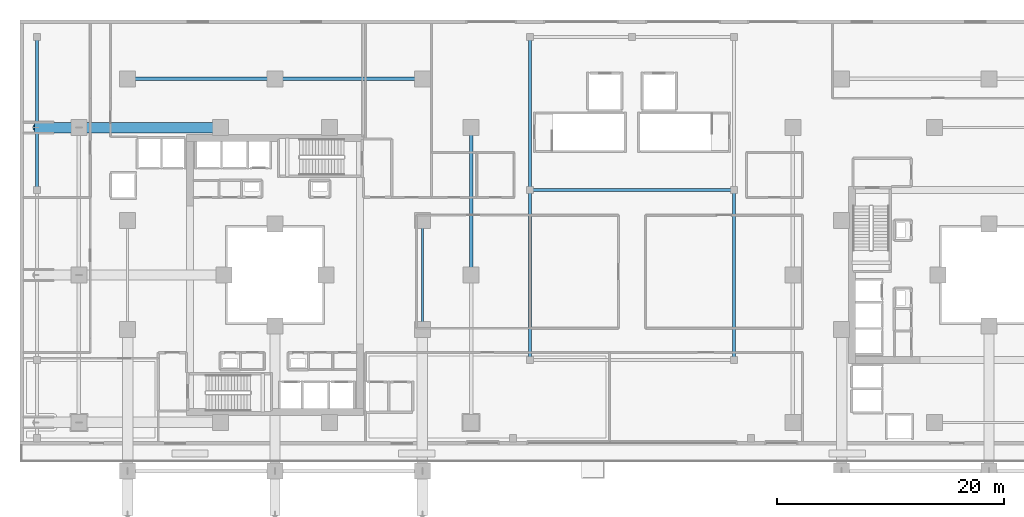
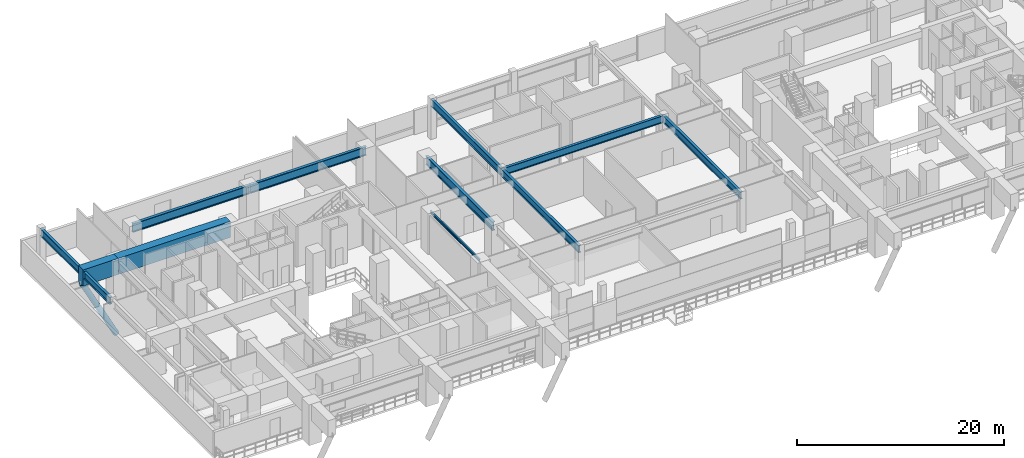
# One storey, part 4 of 25: 11 beams, 1 member.
"""IFC4 building model written with IfcOpenShell, lengths in metres."""

import ifcopenshell
import ifcopenshell.guid

model = None  # the IFC model being written
_history = None  # IfcOwnerHistory: only IFC2X3 demands one
_inside = {}  # id of a spatial element -> (the spatial element, [elements in it])
_under = {}  # id of a project, library or spatial element -> (it, [spatial elements below it])
_declared = {}  # id of a project -> (the project, [libraries it declares])
_typed = {}  # id of a type object -> (the type object, [elements of that type])
_made_of = {}  # id of a material, layer set ... -> (it, [elements and type objects made of it])


def new_model(schema):
    """Start an empty IFC model of exactly this schema.

    Asked for "IFC4X3", IfcOpenShell would pick the latest addendum, in which some entities
    have other attributes; the version numbers below select the first issue.
    IFC2X3 requires an IfcOwnerHistory on every rooted entity: one is made here for all.
    """
    global model, _history
    if schema == "IFC4X3":
        model = ifcopenshell.file(schema_version=(4, 3, 0, 0))
    else:
        model = ifcopenshell.file(schema=schema)
    _inside.clear()
    _under.clear()
    _declared.clear()
    _typed.clear()
    _made_of.clear()
    _history = None
    if model.schema == "IFC2X3":
        org = make("IfcOrganization", Name="unknown")
        user = make(
            "IfcPersonAndOrganization",
            ThePerson=make("IfcPerson", FamilyName="unknown"),
            TheOrganization=org,
        )
        app = make(
            "IfcApplication",
            ApplicationDeveloper=org,
            Version="unknown",
            ApplicationFullName="unknown",
            ApplicationIdentifier="unknown",
        )
        _history = make(
            "IfcOwnerHistory",
            OwningUser=user,
            OwningApplication=app,
            ChangeAction="ADDED",
            CreationDate=0,
        )
    return model


def make(cls, **values):
    """One entity of the class cls with the attributes given. An attribute that is None is left unset."""
    return model.create_entity(
        cls, **{name: value for name, value in values.items() if value is not None}
    )


def rooted(cls, **values):
    """An entity with a GlobalId (a new one), such as an element, a storey or a relation."""
    return make(cls, GlobalId=ifcopenshell.guid.new(), OwnerHistory=_history, **values)


def si_unit(unit_type, name, prefix=None):
    """IfcSIUnit, for example si_unit("LENGTHUNIT", "METRE", prefix="MILLI")."""
    return make("IfcSIUnit", UnitType=unit_type, Prefix=prefix, Name=name)


def assignment(units):
    """IfcUnitAssignment: the units of a project."""
    return None if units is None else make("IfcUnitAssignment", Units=units)


def point(xyz):
    """IfcCartesianPoint."""
    return None if xyz is None else make("IfcCartesianPoint", Coordinates=xyz)


def direction(xyz):
    """IfcDirection."""
    return None if xyz is None else make("IfcDirection", DirectionRatios=xyz)


def frame(location, z_axis=None, x_axis=None):
    """IfcAxis2Placement3D, a coordinate frame: its origin and axes. An axis left out is left unset."""
    return make(
        "IfcAxis2Placement3D",
        Location=point(location),
        Axis=direction(z_axis),
        RefDirection=direction(x_axis),
    )


def frame_2d(location, x_axis=None):
    """IfcAxis2Placement2D, a coordinate frame in the plane: its origin and x axis."""
    return make(
        "IfcAxis2Placement2D", Location=point(location), RefDirection=direction(x_axis)
    )


def origin():
    """The frame at (0, 0, 0) with its axes left unset."""
    return frame((0.0, 0.0, 0.0))


def origin_2d():
    """The frame at (0, 0) in the plane with its x axis left unset."""
    return frame_2d((0.0, 0.0))


def place(relative_to, where):
    """IfcLocalPlacement: puts the frame where relative to a parent placement (None: the world)."""
    return make(
        "IfcLocalPlacement", PlacementRelTo=relative_to, RelativePlacement=where
    )


def context(
    kind, dimensions, precision=None, world=None, true_north=None, identifier=None
):
    """IfcGeometricRepresentationContext, for example the 3D "Model" context."""
    return make(
        "IfcGeometricRepresentationContext",
        ContextIdentifier=identifier,
        ContextType=kind,
        CoordinateSpaceDimension=dimensions,
        Precision=precision,
        WorldCoordinateSystem=world,
        TrueNorth=true_north,
    )


def subcontext(parent, identifier, kind, view, scale=None):
    """IfcGeometricRepresentationSubContext, for example "Body" below "Model"."""
    return make(
        "IfcGeometricRepresentationSubContext",
        ContextIdentifier=identifier,
        ContextType=kind,
        ParentContext=parent,
        TargetScale=scale,
        TargetView=view,
    )


def project(units=None, contexts=None):
    """IfcProject with its units and contexts."""
    return rooted(
        "IfcProject",
        Name="project",
        RepresentationContexts=contexts,
        UnitsInContext=assignment(units),
    )


def spatial(cls, under=None, at=None, **own):
    """A site, building, storey or space (cls), placed at a placement, below another one or the project."""
    s = rooted(cls, ObjectPlacement=at, **own)
    if under is not None:
        _under.setdefault(under.id(), (under, []))[1].append(s)
    return s


def profile(cls, at=None, kind="AREA", **sizes):
    """A parametric profile (cls). Its sizes go by their IFC names, for example OverallWidth=200.0."""
    return make(cls, ProfileType=kind, Position=at, **sizes)


def rectangle(**sizes):
    """IfcRectangleProfileDef."""
    return profile("IfcRectangleProfileDef", **sizes)


def hollow_circle(**sizes):
    """IfcCircleHollowProfileDef."""
    return profile("IfcCircleHollowProfileDef", **sizes)


def i_section(**sizes):
    """IfcIShapeProfileDef."""
    return profile("IfcIShapeProfileDef", **sizes)


def extrude(swept, where, along, depth):
    """IfcExtrudedAreaSolid: the profile swept, set in the frame where, extruded along a direction by depth."""
    return make(
        "IfcExtrudedAreaSolid",
        SweptArea=swept,
        Position=where,
        ExtrudedDirection=direction(along),
        Depth=depth,
    )


def shape(context_of_items, identifier, shape_type, items):
    """IfcShapeRepresentation: the items that make up one representation, for example the "Body"."""
    return make(
        "IfcShapeRepresentation",
        ContextOfItems=context_of_items,
        RepresentationIdentifier=identifier,
        RepresentationType=shape_type,
        Items=items,
    )


def material(Name=None, Category=None):
    """IfcMaterial."""
    return make("IfcMaterial", Name=Name, Category=Category)


def material_profile(
    of_material, cross_section, Name=None, Category=None, Priority=None
):
    """IfcMaterialProfile: a cross section and its material."""
    return make(
        "IfcMaterialProfile",
        Name=Name,
        Material=of_material,
        Profile=cross_section,
        Priority=Priority,
        Category=Category,
    )


def profile_set(profiles, Name=None, composite=None):
    """IfcMaterialProfileSet."""
    return make(
        "IfcMaterialProfileSet",
        Name=Name,
        MaterialProfiles=profiles,
        CompositeProfile=composite,
    )


def made_of(thing, what):
    """Note that an element or type object is made of a material, layer set ...; save() writes the relation."""
    if what is not None:
        _made_of.setdefault(what.id(), (what, []))[1].append(thing)
    return thing


def type_object(cls, material=None, **own):
    """A type object (cls), such as IfcWallType, which elements share."""
    return made_of(rooted(cls, **own), material)


def element(
    cls,
    number,
    at=None,
    inside=None,
    cuts=None,
    type_object=None,
    material=None,
    context=None,
    identifier="Body",
    shape_type=None,
    held_by="IfcProductDefinitionShape",
    body=None,
    shapes=None,
    **own,
):
    """One element of the class cls, such as IfcWall. Its Tag is "e" and its number.

    at: its placement. inside: the storey or other place that contains it. cuts: it is an
    opening in that element (IfcRelVoidsElement). A single representation is given by context,
    identifier, shape_type and body (its items); several are given by shapes. held_by: the class
    of the entity that holds the representations. save() writes the other relations.
    """
    e = rooted(cls, Tag="e%d" % number, ObjectPlacement=at, **own)
    if body is not None:
        shapes = [shape(context, identifier, shape_type, body)]
    if shapes is not None:
        e.Representation = make(held_by, Representations=shapes)
    if inside is not None:
        _inside.setdefault(inside.id(), (inside, []))[1].append(e)
    if cuts is not None:
        rooted(
            "IfcRelVoidsElement", RelatingBuildingElement=cuts, RelatedOpeningElement=e
        )
    if type_object is not None:
        _typed.setdefault(type_object.id(), (type_object, []))[1].append(e)
    return made_of(e, material)


def aggregate(whole, parts):
    """IfcRelAggregates: a whole, such as a stair, and the parts it consists of."""
    return rooted("IfcRelAggregates", RelatingObject=whole, RelatedObjects=parts)


def save(model, path):
    """Write the relations noted so far, then the file.

    IfcRelAggregates (storeys below a building ...), IfcRelContainedInSpatialStructure (elements
    in a storey), IfcRelDefinesByType, IfcRelAssociatesMaterial and IfcRelDeclares: one each for
    every whole, place, type object, material and project.
    """
    for whole, parts in _under.values():
        aggregate(whole, parts)
    for where, things in _inside.values():
        rooted(
            "IfcRelContainedInSpatialStructure",
            RelatedElements=things,
            RelatingStructure=where,
        )
    for kind, things in _typed.values():
        rooted("IfcRelDefinesByType", RelatedObjects=things, RelatingType=kind)
    for what, things in _made_of.values():
        rooted("IfcRelAssociatesMaterial", RelatedObjects=things, RelatingMaterial=what)
    for by, libraries in _declared.values():
        rooted("IfcRelDeclares", RelatingContext=by, RelatedDefinitions=libraries)
    model.write(path)


model = new_model("IFC4")

# Units and contexts
model_context = context("Model", 3, precision=1e-05, world=origin(), true_north=direction((0.0, 1.0)))
body_context = subcontext(model_context, "Body", "Model", "MODEL_VIEW")
ifc_project = project(units=[si_unit("LENGTHUNIT", "METRE"), si_unit("AREAUNIT", "SQUARE_METRE"), si_unit("VOLUMEUNIT", "CUBIC_METRE"), si_unit("PLANEANGLEUNIT", "RADIAN"), si_unit("MASSUNIT", "GRAM", prefix="KILO")], contexts=[model_context])

# Site, building, storey
site_placement = place(None, origin())
site = spatial("IfcSite", under=ifc_project, at=site_placement, CompositionType="ELEMENT")
building_placement = place(site_placement, origin())
building = spatial("IfcBuilding", under=site, at=building_placement, Name="Thornwick Lancets Civic Towers", CompositionType="ELEMENT")
storey_placement = place(building_placement, frame((0.0, 0.0, 23.10009765625)))
storey = spatial("IfcBuildingStorey", under=building, at=storey_placement, Name="L05", CompositionType="ELEMENT", Elevation=23.10009765625)

# Beams
ifc_material_1 = material(Name="Steel S355JR", Category="steel")
ifc_material_profile_1 = material_profile(ifc_material_1, i_section(OverallWidth=0.1669921875, OverallDepth=0.310302734375, WebThickness=0.0078125, FlangeThickness=0.013671875, FilletRadius=0.0087890625, at=origin_2d()), Name="UKB 305x165x54")
ifc_profile_set_1 = profile_set([ifc_material_profile_1], Name="Steel S355JR")
beam_type_1 = type_object("IfcBeamType", Name="BM_LINTEL_305_54", PredefinedType="LINTEL", material=ifc_profile_set_1)
beam_1_placement = place(storey_placement, frame((38.5, 22.280029296875, 4.40478515625), z_axis=(0.0, 1.0, 0.0), x_axis=(-1.0, 0.0, 0.0)))
element("IfcBeam", 1, at=beam_1_placement, inside=storey, type_object=beam_type_1, Name="BM-INSP-L05-A-1-3", PredefinedType="LINTEL", context=body_context, shape_type="SweptSolid", body=[
    extrude(i_section(OverallWidth=0.1669921875, OverallDepth=0.310302734375, WebThickness=0.0078125, FlangeThickness=0.013671875, FilletRadius=0.0087890625, at=origin_2d()), origin(), (0.0, 0.0, 1.0), 9.52001953125),
])
ifc_material_profile_2 = material_profile(ifc_material_1, i_section(OverallWidth=0.293701171875, OverallDepth=0.850830078125, WebThickness=0.01611328125, FlangeThickness=0.02685546875, FilletRadius=0.017822265625, at=origin_2d()), Name="UKB 838x292x226")
ifc_profile_set_2 = profile_set([ifc_material_profile_2], Name="Steel S355JR")
beam_type_2 = type_object("IfcBeamType", Name="BM_POD_838_226", PredefinedType="BEAM", material=ifc_profile_set_2)
beam_2_placement = place(storey_placement, frame((4.5, 34.580078125, 4.134521484375), z_axis=(0.0, 1.0, 0.0), x_axis=(-1.0, 0.0, 0.0)))
element("IfcBeam", 2, at=beam_2_placement, inside=storey, type_object=beam_type_2, Name="BM-PODG-L05-5-6", PredefinedType="BEAM", context=body_context, shape_type="SweptSolid", body=[
    extrude(i_section(OverallWidth=0.293701171875, OverallDepth=0.850830078125, WebThickness=0.01611328125, FlangeThickness=0.02685546875, FilletRadius=0.017822265625, at=origin_2d()), origin(), (0.0, 0.0, 1.0), 13.419921875),
])
for number, where, z_axis, x_axis, name in (
    (3, (48.0, 19.5, 4.134521484375), (0.0, 1.0, 0.0), (-1.0, 0.0, 0.0), "BM-PODG-L05-7-9"),
    (4, (66.0, 19.5, 4.134521484375), (0.0, 1.0, 0.0), (-1.0, 0.0, 0.0), "BM-PODG-L05-8-10"),
):
    element("IfcBeam", number, at=place(storey_placement, frame(where, z_axis=z_axis, x_axis=x_axis)), inside=storey, type_object=beam_type_2, Name=name, PredefinedType="BEAM", context=body_context, shape_type="SweptSolid", body=[
        extrude(i_section(OverallWidth=0.293701171875, OverallDepth=0.850830078125, WebThickness=0.01611328125, FlangeThickness=0.02685546875, FilletRadius=0.017822265625, at=origin_2d()), origin(), (0.0, 0.0, 1.0), 15.0),
    ])
beam_3_placement = place(storey_placement, frame((48.0, 34.5, 4.134521484375), z_axis=(1.0, 0.0, 0.0), x_axis=(0.0, 1.0, 0.0)))
element("IfcBeam", 5, at=beam_3_placement, inside=storey, type_object=beam_type_2, Name="BM-PODG-L05-9-10", PredefinedType="BEAM", context=body_context, shape_type="SweptSolid", body=[
    extrude(i_section(OverallWidth=0.293701171875, OverallDepth=0.850830078125, WebThickness=0.01611328125, FlangeThickness=0.02685546875, FilletRadius=0.017822265625, at=origin_2d()), origin(), (0.0, 0.0, 1.0), 18.0),
])
beam_4_placement = place(storey_placement, frame((48.0, 34.580078125, 4.134521484375), z_axis=(0.0, 1.0, 0.0), x_axis=(-1.0, 0.0, 0.0)))
element("IfcBeam", 6, at=beam_4_placement, inside=storey, type_object=beam_type_2, Name="BM-PODG-L05-9-11", PredefinedType="BEAM", context=body_context, shape_type="SweptSolid", body=[
    extrude(i_section(OverallWidth=0.293701171875, OverallDepth=0.850830078125, WebThickness=0.01611328125, FlangeThickness=0.02685546875, FilletRadius=0.017822265625, at=origin_2d()), origin(), (0.0, 0.0, 1.0), 13.419921875),
])
ifc_material_2 = material(Name="Steel S460M", Category="steel")
ifc_material_profile_3 = material_profile(ifc_material_2, i_section(OverallWidth=0.305419921875, OverallDepth=1.02587890625, WebThickness=0.02685546875, FlangeThickness=0.0458984375, FilletRadius=0.030029296875, at=origin_2d()), Name="UKB 1016x305x437")
ifc_profile_set_3 = profile_set([ifc_material_profile_3], Name="Steel S460M")
beam_type_3 = type_object("IfcBeamType", Name="BM_TR_1016_437", PredefinedType="BEAM", material=ifc_profile_set_3)
beam_5_placement = place(storey_placement, frame((42.800048828125, 27.080078125, 4.046875), z_axis=(0.0, 1.0, 0.0), x_axis=(-1.0, 0.0, 0.0)))
element("IfcBeam", 7, at=beam_5_placement, inside=storey, type_object=beam_type_3, Name="BM-SPINE-L05-A-4-5", PredefinedType="BEAM", context=body_context, shape_type="SweptSolid", body=[
    extrude(i_section(OverallWidth=0.305419921875, OverallDepth=1.02587890625, WebThickness=0.02685546875, FlangeThickness=0.0458984375, FilletRadius=0.030029296875, at=origin_2d()), origin(), (0.0, 0.0, 1.0), 12.919921875),
])
beam_6_placement = place(storey_placement, frame((12.5, 44.300048828125, 4.046875), z_axis=(1.0, 0.0, 0.0), x_axis=(0.0, 1.0, 0.0)))
element("IfcBeam", 8, at=beam_6_placement, inside=storey, type_object=beam_type_3, Name="BM-SPINE-L05-A-6-7", PredefinedType="BEAM", context=body_context, shape_type="SweptSolid", body=[
    extrude(i_section(OverallWidth=0.305419921875, OverallDepth=1.02587890625, WebThickness=0.02685546875, FlangeThickness=0.0458984375, FilletRadius=0.030029296875, at=origin_2d()), origin(), (0.0, 0.0, 1.0), 13.0),
])
beam_7_placement = place(storey_placement, frame((25.580078125, 44.300048828125, 4.046875), z_axis=(1.0, 0.0, 0.0), x_axis=(0.0, 1.0, 0.0)))
element("IfcBeam", 9, at=beam_7_placement, inside=storey, type_object=beam_type_3, Name="BM-SPINE-L05-A-7-8", PredefinedType="BEAM", context=body_context, shape_type="SweptSolid", body=[
    extrude(i_section(OverallWidth=0.305419921875, OverallDepth=1.02587890625, WebThickness=0.02685546875, FlangeThickness=0.0458984375, FilletRadius=0.030029296875, at=origin_2d()), origin(), (0.0, 0.0, 1.0), 12.919921875),
])
ifc_material_3 = material(Name="Concrete C60/75", Category="concrete")
ifc_material_profile_4 = material_profile(ifc_material_3, rectangle(XDim=0.89990234375, YDim=1.89990234375, at=origin_2d()), Name="RC 900x1900")
ifc_profile_set_4 = profile_set([ifc_material_profile_4], Name="Concrete C60/75")
beam_type_4 = type_object("IfcBeamType", Name="BM_TR_RC1900", PredefinedType="BEAM", material=ifc_profile_set_4)
beam_8_placement = place(storey_placement, frame((20.699951171875, 40.0, 3.849853515625), z_axis=(-1.0, 0.0, 0.0), x_axis=(0.0, -1.0, 0.0)))
element("IfcBeam", 10, at=beam_8_placement, inside=storey, type_object=beam_type_4, Name="TG-BACK-L06-A12", PredefinedType="BEAM", context=body_context, shape_type="SweptSolid", body=[
    extrude(rectangle(XDim=0.89990234375, YDim=1.89990234375, at=origin_2d()), origin(), (0.0, 0.0, 1.0), 12.5),
])
beam_9_placement = place(storey_placement, frame((8.199951171875, 40.0, 3.849853515625), z_axis=(-1.0, 0.0, 0.0), x_axis=(0.0, -1.0, 0.0)))
element("IfcBeam", 11, at=beam_9_placement, inside=storey, type_object=beam_type_4, Name="TG-CANT-L06-A12", PredefinedType="BEAM", context=body_context, shape_type="SweptSolid", body=[
    extrude(rectangle(XDim=0.89990234375, YDim=1.89990234375, at=origin_2d()), origin(), (0.0, 0.0, 1.0), 3.919921875),
])

# Member
ifc_material_profile_5 = material_profile(ifc_material_2, hollow_circle(Radius=0.304931640625, WallThickness=0.030029296875, at=origin_2d()), Name="CHS 610x30")
ifc_profile_set_5 = profile_set([ifc_material_profile_5], Name="Steel S460M")
member_type = type_object("IfcMemberType", Name="MEM_STRUT_CHS610", PredefinedType="STRUT", material=ifc_profile_set_5)
member_placement = place(storey_placement, frame((8.199951171875, 40.0, -4.25), z_axis=(-0.465247425434, 0.0, 0.885180678239), x_axis=(0.0, -1.0, 0.0)))
element("IfcMember", 12, at=member_placement, inside=storey, type_object=member_type, Name="L06 Jenga Transfer Raking Strut A12", PredefinedType="STRUT", context=body_context, shape_type="SweptSolid", body=[
    extrude(hollow_circle(Radius=0.304931640625, WallThickness=0.030029296875, at=origin_2d()), origin(), (0.0, 0.0, 1.0), 8.167724609375),
])

save(model, "model.ifc")
